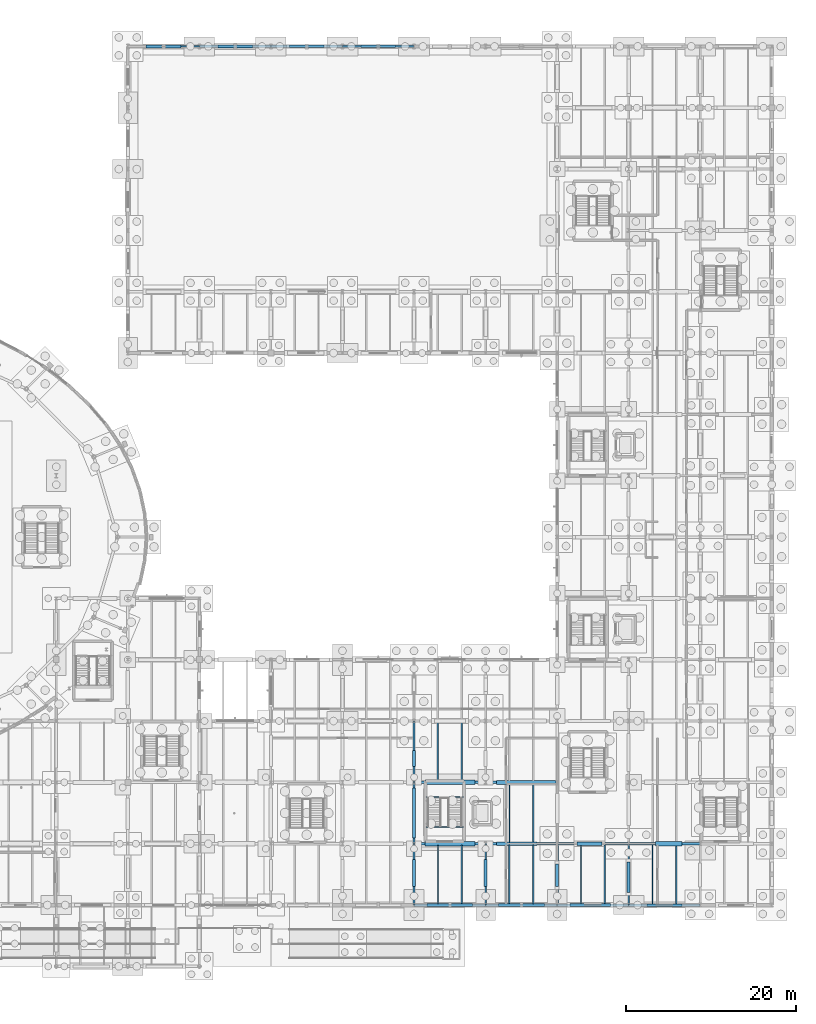
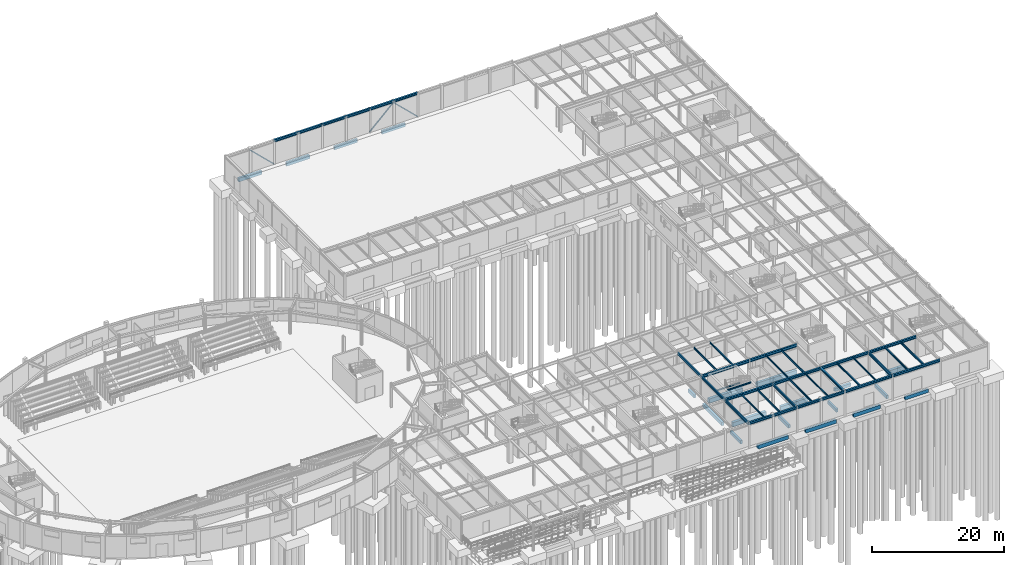
# One storey, part 42 of 93: 53 beams, 3 members.
"""IFC4 building model written with IfcOpenShell, lengths in metres."""

import ifcopenshell
import ifcopenshell.guid

model = None  # the IFC model being written
_history = None  # IfcOwnerHistory: only IFC2X3 demands one
_inside = {}  # id of a spatial element -> (the spatial element, [elements in it])
_under = {}  # id of a project, library or spatial element -> (it, [spatial elements below it])
_declared = {}  # id of a project -> (the project, [libraries it declares])
_typed = {}  # id of a type object -> (the type object, [elements of that type])
_made_of = {}  # id of a material, layer set ... -> (it, [elements and type objects made of it])


def new_model(schema):
    """Start an empty IFC model of exactly this schema.

    Asked for "IFC4X3", IfcOpenShell would pick the latest addendum, in which some entities
    have other attributes; the version numbers below select the first issue.
    IFC2X3 requires an IfcOwnerHistory on every rooted entity: one is made here for all.
    """
    global model, _history
    if schema == "IFC4X3":
        model = ifcopenshell.file(schema_version=(4, 3, 0, 0))
    else:
        model = ifcopenshell.file(schema=schema)
    _inside.clear()
    _under.clear()
    _declared.clear()
    _typed.clear()
    _made_of.clear()
    _history = None
    if model.schema == "IFC2X3":
        org = make("IfcOrganization", Name="unknown")
        user = make(
            "IfcPersonAndOrganization",
            ThePerson=make("IfcPerson", FamilyName="unknown"),
            TheOrganization=org,
        )
        app = make(
            "IfcApplication",
            ApplicationDeveloper=org,
            Version="unknown",
            ApplicationFullName="unknown",
            ApplicationIdentifier="unknown",
        )
        _history = make(
            "IfcOwnerHistory",
            OwningUser=user,
            OwningApplication=app,
            ChangeAction="ADDED",
            CreationDate=0,
        )
    return model


def make(cls, **values):
    """One entity of the class cls with the attributes given. An attribute that is None is left unset."""
    return model.create_entity(
        cls, **{name: value for name, value in values.items() if value is not None}
    )


def rooted(cls, **values):
    """An entity with a GlobalId (a new one), such as an element, a storey or a relation."""
    return make(cls, GlobalId=ifcopenshell.guid.new(), OwnerHistory=_history, **values)


def si_unit(unit_type, name, prefix=None):
    """IfcSIUnit, for example si_unit("LENGTHUNIT", "METRE", prefix="MILLI")."""
    return make("IfcSIUnit", UnitType=unit_type, Prefix=prefix, Name=name)


def derived_unit(unit_type, elements):
    """IfcDerivedUnit: a product of units, each with its exponent."""
    return make(
        "IfcDerivedUnit",
        Elements=[
            make("IfcDerivedUnitElement", Unit=unit, Exponent=power)
            for unit, power in elements
        ],
        UnitType=unit_type,
    )


def assignment(units):
    """IfcUnitAssignment: the units of a project."""
    return None if units is None else make("IfcUnitAssignment", Units=units)


def point(xyz):
    """IfcCartesianPoint."""
    return None if xyz is None else make("IfcCartesianPoint", Coordinates=xyz)


def direction(xyz):
    """IfcDirection."""
    return None if xyz is None else make("IfcDirection", DirectionRatios=xyz)


def frame(location, z_axis=None, x_axis=None):
    """IfcAxis2Placement3D, a coordinate frame: its origin and axes. An axis left out is left unset."""
    return make(
        "IfcAxis2Placement3D",
        Location=point(location),
        Axis=direction(z_axis),
        RefDirection=direction(x_axis),
    )


def frame_2d(location, x_axis=None):
    """IfcAxis2Placement2D, a coordinate frame in the plane: its origin and x axis."""
    return make(
        "IfcAxis2Placement2D", Location=point(location), RefDirection=direction(x_axis)
    )


def origin():
    """The frame at (0, 0, 0) with its axes left unset."""
    return frame((0.0, 0.0, 0.0))


def origin_2d():
    """The frame at (0, 0) in the plane with its x axis left unset."""
    return frame_2d((0.0, 0.0))


def place(relative_to, where):
    """IfcLocalPlacement: puts the frame where relative to a parent placement (None: the world)."""
    return make(
        "IfcLocalPlacement", PlacementRelTo=relative_to, RelativePlacement=where
    )


def context(
    kind, dimensions, precision=None, world=None, true_north=None, identifier=None
):
    """IfcGeometricRepresentationContext, for example the 3D "Model" context."""
    return make(
        "IfcGeometricRepresentationContext",
        ContextIdentifier=identifier,
        ContextType=kind,
        CoordinateSpaceDimension=dimensions,
        Precision=precision,
        WorldCoordinateSystem=world,
        TrueNorth=true_north,
    )


def subcontext(parent, identifier, kind, view, scale=None):
    """IfcGeometricRepresentationSubContext, for example "Body" below "Model"."""
    return make(
        "IfcGeometricRepresentationSubContext",
        ContextIdentifier=identifier,
        ContextType=kind,
        ParentContext=parent,
        TargetScale=scale,
        TargetView=view,
    )


def project(units=None, contexts=None):
    """IfcProject with its units and contexts."""
    return rooted(
        "IfcProject",
        Name="project",
        RepresentationContexts=contexts,
        UnitsInContext=assignment(units),
    )


def spatial(cls, under=None, at=None, **own):
    """A site, building, storey or space (cls), placed at a placement, below another one or the project."""
    s = rooted(cls, ObjectPlacement=at, **own)
    if under is not None:
        _under.setdefault(under.id(), (under, []))[1].append(s)
    return s


def profile(cls, at=None, kind="AREA", **sizes):
    """A parametric profile (cls). Its sizes go by their IFC names, for example OverallWidth=200.0."""
    return make(cls, ProfileType=kind, Position=at, **sizes)


def rectangle(**sizes):
    """IfcRectangleProfileDef."""
    return profile("IfcRectangleProfileDef", **sizes)


def hollow_rectangle(**sizes):
    """IfcRectangleHollowProfileDef."""
    return profile("IfcRectangleHollowProfileDef", **sizes)


def i_section(**sizes):
    """IfcIShapeProfileDef."""
    return profile("IfcIShapeProfileDef", **sizes)


def extrude(swept, where, along, depth):
    """IfcExtrudedAreaSolid: the profile swept, set in the frame where, extruded along a direction by depth."""
    return make(
        "IfcExtrudedAreaSolid",
        SweptArea=swept,
        Position=where,
        ExtrudedDirection=direction(along),
        Depth=depth,
    )


def shape(context_of_items, identifier, shape_type, items):
    """IfcShapeRepresentation: the items that make up one representation, for example the "Body"."""
    return make(
        "IfcShapeRepresentation",
        ContextOfItems=context_of_items,
        RepresentationIdentifier=identifier,
        RepresentationType=shape_type,
        Items=items,
    )


def material(Name=None, Category=None):
    """IfcMaterial."""
    return make("IfcMaterial", Name=Name, Category=Category)


def material_profile(
    of_material, cross_section, Name=None, Category=None, Priority=None
):
    """IfcMaterialProfile: a cross section and its material."""
    return make(
        "IfcMaterialProfile",
        Name=Name,
        Material=of_material,
        Profile=cross_section,
        Priority=Priority,
        Category=Category,
    )


def profile_set(profiles, Name=None, composite=None):
    """IfcMaterialProfileSet."""
    return make(
        "IfcMaterialProfileSet",
        Name=Name,
        MaterialProfiles=profiles,
        CompositeProfile=composite,
    )


def made_of(thing, what):
    """Note that an element or type object is made of a material, layer set ...; save() writes the relation."""
    if what is not None:
        _made_of.setdefault(what.id(), (what, []))[1].append(thing)
    return thing


def type_object(cls, material=None, **own):
    """A type object (cls), such as IfcWallType, which elements share."""
    return made_of(rooted(cls, **own), material)


def element(
    cls,
    number,
    at=None,
    inside=None,
    cuts=None,
    type_object=None,
    material=None,
    context=None,
    identifier="Body",
    shape_type=None,
    held_by="IfcProductDefinitionShape",
    body=None,
    shapes=None,
    **own,
):
    """One element of the class cls, such as IfcWall. Its Tag is "e" and its number.

    at: its placement. inside: the storey or other place that contains it. cuts: it is an
    opening in that element (IfcRelVoidsElement). A single representation is given by context,
    identifier, shape_type and body (its items); several are given by shapes. held_by: the class
    of the entity that holds the representations. save() writes the other relations.
    """
    e = rooted(cls, Tag="e%d" % number, ObjectPlacement=at, **own)
    if body is not None:
        shapes = [shape(context, identifier, shape_type, body)]
    if shapes is not None:
        e.Representation = make(held_by, Representations=shapes)
    if inside is not None:
        _inside.setdefault(inside.id(), (inside, []))[1].append(e)
    if cuts is not None:
        rooted(
            "IfcRelVoidsElement", RelatingBuildingElement=cuts, RelatedOpeningElement=e
        )
    if type_object is not None:
        _typed.setdefault(type_object.id(), (type_object, []))[1].append(e)
    return made_of(e, material)


def aggregate(whole, parts):
    """IfcRelAggregates: a whole, such as a stair, and the parts it consists of."""
    return rooted("IfcRelAggregates", RelatingObject=whole, RelatedObjects=parts)


def save(model, path):
    """Write the relations noted so far, then the file.

    IfcRelAggregates (storeys below a building ...), IfcRelContainedInSpatialStructure (elements
    in a storey), IfcRelDefinesByType, IfcRelAssociatesMaterial and IfcRelDeclares: one each for
    every whole, place, type object, material and project.
    """
    for whole, parts in _under.values():
        aggregate(whole, parts)
    for where, things in _inside.values():
        rooted(
            "IfcRelContainedInSpatialStructure",
            RelatedElements=things,
            RelatingStructure=where,
        )
    for kind, things in _typed.values():
        rooted("IfcRelDefinesByType", RelatedObjects=things, RelatingType=kind)
    for what, things in _made_of.values():
        rooted("IfcRelAssociatesMaterial", RelatedObjects=things, RelatingMaterial=what)
    for by, libraries in _declared.values():
        rooted("IfcRelDeclares", RelatingContext=by, RelatedDefinitions=libraries)
    model.write(path)


model = new_model("IFC4")

# Units and contexts
model_context = context("Model", 3, precision=1e-05, world=origin(), true_north=direction((0.0, 1.0)))
body_context = subcontext(model_context, "Body", "Model", "MODEL_VIEW")
ifc_project = project(units=[si_unit("LENGTHUNIT", "METRE"), si_unit("AREAUNIT", "SQUARE_METRE"), si_unit("VOLUMEUNIT", "CUBIC_METRE"), si_unit("PLANEANGLEUNIT", "RADIAN"), si_unit("MASSUNIT", "GRAM", prefix="KILO"), derived_unit("THERMALTRANSMITTANCEUNIT", [(si_unit("MASSUNIT", "GRAM", prefix="KILO"), 1), (si_unit("TIMEUNIT", "SECOND"), -3), (si_unit("THERMODYNAMICTEMPERATUREUNIT", "KELVIN"), -1)])], contexts=[model_context])

# Site, building, storey
site_placement = place(None, origin())
site = spatial("IfcSite", under=ifc_project, at=site_placement, CompositionType="ELEMENT")
building_placement = place(site_placement, origin())
building = spatial("IfcBuilding", under=site, at=building_placement, Name="Kharveza Railside Sports Centre", CompositionType="ELEMENT")
storey_placement = place(building_placement, origin())
storey = spatial("IfcBuildingStorey", under=building, at=storey_placement, Name="L00", CompositionType="ELEMENT", Elevation=0.0)

# Beams
ifc_material_1 = material(Name="Steel S355J2", Category="steel")
ifc_material_profile_1 = material_profile(ifc_material_1, i_section(OverallWidth=0.199951171875, OverallDepth=0.5, WebThickness=0.01025390625, FlangeThickness=0.01611328125, FilletRadius=0.02099609375, at=origin_2d()), Name="IPE 500")
ifc_profile_set_1 = profile_set([ifc_material_profile_1], Name="Steel S355J2")
beam_type_1 = type_object("IfcBeamType", Name="BM-G03", PredefinedType="T_BEAM", material=ifc_profile_set_1)
beam_1_placement = place(storey_placement, frame((126.0, 7.199951171875, 4.070068359375), z_axis=(0.0, 1.0, 0.0), x_axis=(-1.0, 0.0, 0.0)))
element("IfcBeam", 1, at=beam_1_placement, inside=storey, type_object=beam_type_1, Name="BM-NS-L00-B03-X1260-Y72", PredefinedType="T_BEAM", context=body_context, shape_type="SweptSolid", body=[
    extrude(i_section(OverallWidth=0.199951171875, OverallDepth=0.5, WebThickness=0.01025390625, FlangeThickness=0.01611328125, FilletRadius=0.02099609375, at=origin_2d()), origin(), (0.0, 0.0, 1.0), 7.199951171875),
])
beam_2_placement = place(storey_placement, frame((126.0, 14.39990234375, 4.070068359375), z_axis=(0.0, 1.0, 0.0), x_axis=(-1.0, 0.0, 0.0)))
element("IfcBeam", 2, at=beam_2_placement, inside=storey, type_object=beam_type_1, Name="BM-NS-L00-B03-X1260-Y144", PredefinedType="T_BEAM", context=body_context, shape_type="SweptSolid", body=[
    extrude(i_section(OverallWidth=0.199951171875, OverallDepth=0.5, WebThickness=0.01025390625, FlangeThickness=0.01611328125, FilletRadius=0.02099609375, at=origin_2d()), origin(), (0.0, 0.0, 1.0), 7.2001953125),
])
for number, where, z_axis, x_axis, name in (
    (3, (126.0, 21.60009765625, 4.070068359375), (0.0, 1.0, 0.0), (-1.0, 0.0, 0.0), "BM-NS-L00-B03-X1260-Y216"),
    (4, (151.199951171875, 7.199951171875, 4.070068359375), (0.0, 1.0, 0.0), (-1.0, 0.0, 0.0), "BM-NS-L00-B03-X1512-Y72"),
):
    element("IfcBeam", number, at=place(storey_placement, frame(where, z_axis=z_axis, x_axis=x_axis)), inside=storey, type_object=beam_type_1, Name=name, PredefinedType="T_BEAM", context=body_context, shape_type="SweptSolid", body=[
        extrude(i_section(OverallWidth=0.199951171875, OverallDepth=0.5, WebThickness=0.01025390625, FlangeThickness=0.01611328125, FilletRadius=0.02099609375, at=origin_2d()), origin(), (0.0, 0.0, 1.0), 7.199951171875),
    ])
ifc_material_profile_2 = material_profile(ifc_material_1, i_section(OverallWidth=0.18994140625, OverallDepth=0.449951171875, WebThickness=0.009521484375, FlangeThickness=0.0146484375, FilletRadius=0.02099609375, at=origin_2d()), Name="IPE 450")
ifc_profile_set_2 = profile_set([ifc_material_profile_2], Name="Steel S355J2")
beam_type_2 = type_object("IfcBeamType", Name="BM-G04", PredefinedType="T_BEAM", material=ifc_profile_set_2)
beam_3_placement = place(storey_placement, frame((134.39990234375, 7.199951171875, 4.094970703125), z_axis=(0.0, 1.0, 0.0), x_axis=(-1.0, 0.0, 0.0)))
element("IfcBeam", 5, at=beam_3_placement, inside=storey, type_object=beam_type_2, Name="BM-NS-L00-B04-X1344-Y72", PredefinedType="T_BEAM", context=body_context, shape_type="SweptSolid", body=[
    extrude(i_section(OverallWidth=0.18994140625, OverallDepth=0.449951171875, WebThickness=0.009521484375, FlangeThickness=0.0146484375, FilletRadius=0.02099609375, at=origin_2d()), origin(), (0.0, 0.0, 1.0), 7.199951171875),
])
ifc_material_profile_3 = material_profile(ifc_material_1, i_section(OverallWidth=0.300048828125, OverallDepth=0.5, WebThickness=0.014404296875, FlangeThickness=0.028076171875, FilletRadius=0.027099609375, at=origin_2d()), Name="HEB 500")
ifc_profile_set_3 = profile_set([ifc_material_profile_3], Name="Steel S355J2")
beam_type_3 = type_object("IfcBeamType", Name="BM-G05", PredefinedType="T_BEAM", material=ifc_profile_set_3)
beam_4_placement = place(storey_placement, frame((126.0, 21.60009765625, 4.070068359375), z_axis=(1.0, 0.0, 0.0), x_axis=(0.0, 1.0, 0.0)))
element("IfcBeam", 6, at=beam_4_placement, inside=storey, type_object=beam_type_3, Name="BM-EW-L00-B05-X1260-Y216", PredefinedType="T_BEAM", context=body_context, shape_type="SweptSolid", body=[
    extrude(i_section(OverallWidth=0.300048828125, OverallDepth=0.5, WebThickness=0.014404296875, FlangeThickness=0.028076171875, FilletRadius=0.027099609375, at=origin_2d()), origin(), (0.0, 0.0, 1.0), 8.39990234375),
])
beam_5_placement = place(storey_placement, frame((134.39990234375, 21.60009765625, 4.070068359375), z_axis=(1.0, 0.0, 0.0), x_axis=(0.0, 1.0, 0.0)))
element("IfcBeam", 7, at=beam_5_placement, inside=storey, type_object=beam_type_3, Name="BM-EW-L00-B05-X1344-Y216", PredefinedType="T_BEAM", context=body_context, shape_type="SweptSolid", body=[
    extrude(i_section(OverallWidth=0.300048828125, OverallDepth=0.5, WebThickness=0.014404296875, FlangeThickness=0.028076171875, FilletRadius=0.027099609375, at=origin_2d()), origin(), (0.0, 0.0, 1.0), 8.400146484375),
])
ifc_material_profile_4 = material_profile(ifc_material_1, i_section(OverallWidth=0.300048828125, OverallDepth=0.449951171875, WebThickness=0.013916015625, FlangeThickness=0.02587890625, FilletRadius=0.027099609375, at=origin_2d()), Name="HEB 450")
ifc_profile_set_4 = profile_set([ifc_material_profile_4], Name="Steel S355J2")
beam_type_4 = type_object("IfcBeamType", Name="BM-G06", PredefinedType="T_BEAM", material=ifc_profile_set_4)
beam_6_placement = place(storey_placement, frame((126.0, 14.39990234375, 4.094970703125), z_axis=(1.0, 0.0, 0.0), x_axis=(0.0, 1.0, 0.0)))
element("IfcBeam", 8, at=beam_6_placement, inside=storey, type_object=beam_type_4, Name="BM-EW-L00-B06-X1260-Y144", PredefinedType="T_BEAM", context=body_context, shape_type="SweptSolid", body=[
    extrude(i_section(OverallWidth=0.300048828125, OverallDepth=0.449951171875, WebThickness=0.013916015625, FlangeThickness=0.02587890625, FilletRadius=0.027099609375, at=origin_2d()), origin(), (0.0, 0.0, 1.0), 8.39990234375),
])
beam_7_placement = place(storey_placement, frame((134.39990234375, 14.39990234375, 4.094970703125), z_axis=(1.0, 0.0, 0.0), x_axis=(0.0, 1.0, 0.0)))
element("IfcBeam", 9, at=beam_7_placement, inside=storey, type_object=beam_type_4, Name="BM-EW-L00-B06-X1344-Y144", PredefinedType="T_BEAM", context=body_context, shape_type="SweptSolid", body=[
    extrude(i_section(OverallWidth=0.300048828125, OverallDepth=0.449951171875, WebThickness=0.013916015625, FlangeThickness=0.02587890625, FilletRadius=0.027099609375, at=origin_2d()), origin(), (0.0, 0.0, 1.0), 8.400146484375),
])
beam_8_placement = place(storey_placement, frame((142.800048828125, 14.39990234375, 4.094970703125), z_axis=(1.0, 0.0, 0.0), x_axis=(0.0, 1.0, 0.0)))
element("IfcBeam", 10, at=beam_8_placement, inside=storey, type_object=beam_type_4, Name="BM-EW-L00-B06-X1428-Y144", PredefinedType="T_BEAM", context=body_context, shape_type="SweptSolid", body=[
    extrude(i_section(OverallWidth=0.300048828125, OverallDepth=0.449951171875, WebThickness=0.013916015625, FlangeThickness=0.02587890625, FilletRadius=0.027099609375, at=origin_2d()), origin(), (0.0, 0.0, 1.0), 8.39990234375),
])
beam_9_placement = place(storey_placement, frame((151.199951171875, 14.39990234375, 4.094970703125), z_axis=(1.0, 0.0, 0.0), x_axis=(0.0, 1.0, 0.0)))
element("IfcBeam", 11, at=beam_9_placement, inside=storey, type_object=beam_type_4, Name="BM-EW-L00-B06-X1512-Y144", PredefinedType="T_BEAM", context=body_context, shape_type="SweptSolid", body=[
    extrude(i_section(OverallWidth=0.300048828125, OverallDepth=0.449951171875, WebThickness=0.013916015625, FlangeThickness=0.02587890625, FilletRadius=0.027099609375, at=origin_2d()), origin(), (0.0, 0.0, 1.0), 8.400146484375),
])
ifc_material_2 = material(Name="Concrete C35/45", Category="concrete")
ifc_material_profile_5 = material_profile(ifc_material_2, rectangle(XDim=0.5, YDim=0.800048828125, at=origin_2d()), Name="RCB 500x800")
ifc_profile_set_5 = profile_set([ifc_material_profile_5], Name="Concrete C35/45")
beam_type_5 = type_object("IfcBeamType", Name="BM-RC01", PredefinedType="T_BEAM", material=ifc_profile_set_5)
for number, where, z_axis, x_axis, name in (
    (12, (127.260009765625, 14.39990234375, -0.820068359375), (1.0, 0.0, 0.0), (0.0, 1.0, 0.0), "BM-PLINTH-EW-B25-X1260-Y144-1"),
    (13, (127.260009765625, 21.60009765625, -0.820068359375), (1.0, 0.0, 0.0), (0.0, 1.0, 0.0), "BM-PLINTH-EW-B25-X1260-Y216-1"),
):
    element("IfcBeam", number, at=place(storey_placement, frame(where, z_axis=z_axis, x_axis=x_axis)), inside=storey, type_object=beam_type_5, Name=name, PredefinedType="T_BEAM", context=body_context, shape_type="SweptSolid", body=[
        extrude(rectangle(XDim=0.5, YDim=0.800048828125, at=origin_2d()), origin(), (0.0, 0.0, 1.0), 5.8798828125),
    ])
beam_10_placement = place(storey_placement, frame((154.360107421875, 14.39990234375, -0.820068359375), z_axis=(1.0, 0.0, 0.0), x_axis=(0.0, 1.0, 0.0)))
element("IfcBeam", 14, at=beam_10_placement, inside=storey, type_object=beam_type_5, Name="BM-PLINTH-EW-B25-X1512-Y144-1", PredefinedType="T_BEAM", context=body_context, shape_type="SweptSolid", body=[
    extrude(rectangle(XDim=0.5, YDim=0.800048828125, at=origin_2d()), origin(), (0.0, 0.0, 1.0), 3.079833984375),
])
ifc_material_profile_6 = material_profile(ifc_material_2, rectangle(XDim=0.39990234375, YDim=0.64990234375, at=origin_2d()), Name="RCB 400x650")
ifc_profile_set_6 = profile_set([ifc_material_profile_6], Name="Concrete C35/45")
beam_type_6 = type_object("IfcBeamType", Name="BM-RC02", PredefinedType="BEAM", material=ifc_profile_set_6)
beam_11_placement = place(storey_placement, frame((126.0, 15.06005859375, -0.7451171875), z_axis=(0.0, 1.0, 0.0), x_axis=(-1.0, 0.0, 0.0)))
element("IfcBeam", 15, at=beam_11_placement, inside=storey, type_object=beam_type_6, Name="BM-PLINTH-NS-B26-X1260-Y144-1", PredefinedType="BEAM", context=body_context, shape_type="SweptSolid", body=[
    extrude(rectangle(XDim=0.39990234375, YDim=0.64990234375, at=origin_2d()), origin(), (0.0, 0.0, 1.0), 5.8798828125),
])
ifc_material_profile_7 = material_profile(ifc_material_2, rectangle(XDim=0.35009765625, YDim=0.699951171875, at=origin_2d()), Name="RCB 350x700")
ifc_profile_set_7 = profile_set([ifc_material_profile_7], Name="Concrete C35/45")
beam_type_7 = type_object("IfcBeamType", Name="BM-RC03", PredefinedType="SPANDREL", material=ifc_profile_set_7)
beam_12_placement = place(storey_placement, frame((94.56005859375, 108.0, -0.77001953125), z_axis=(1.0, 0.0, 0.0), x_axis=(0.0, 1.0, 0.0)))
element("IfcBeam", 16, at=beam_12_placement, inside=storey, type_object=beam_type_7, Name="BM-PLINTH-EW-B27-X924-Y1080-1", PredefinedType="SPANDREL", context=body_context, shape_type="SweptSolid", body=[
    extrude(rectangle(XDim=0.35009765625, YDim=0.699951171875, at=origin_2d()), origin(), (0.0, 0.0, 1.0), 4.079833984375),
])
beam_13_placement = place(storey_placement, frame((102.9599609375, 108.0, -0.77001953125), z_axis=(1.0, 0.0, 0.0), x_axis=(0.0, 1.0, 0.0)))
element("IfcBeam", 17, at=beam_13_placement, inside=storey, type_object=beam_type_7, Name="BM-PLINTH-EW-B27-X1008-Y1080-1", PredefinedType="SPANDREL", context=body_context, shape_type="SweptSolid", body=[
    extrude(rectangle(XDim=0.35009765625, YDim=0.699951171875, at=origin_2d()), origin(), (0.0, 0.0, 1.0), 4.080078125),
])
beam_14_placement = place(storey_placement, frame((127.510009765625, 7.199951171875, -0.77001953125), z_axis=(1.0, 0.0, 0.0), x_axis=(0.0, 1.0, 0.0)))
element("IfcBeam", 18, at=beam_14_placement, inside=storey, type_object=beam_type_7, Name="BM-PLINTH-EW-B27-X1260-Y72-1", PredefinedType="SPANDREL", context=body_context, shape_type="SweptSolid", body=[
    extrude(rectangle(XDim=0.35009765625, YDim=0.699951171875, at=origin_2d()), origin(), (0.0, 0.0, 1.0), 5.3798828125),
])
beam_15_placement = place(storey_placement, frame((135.909912109375, 7.199951171875, -0.77001953125), z_axis=(1.0, 0.0, 0.0), x_axis=(0.0, 1.0, 0.0)))
element("IfcBeam", 19, at=beam_15_placement, inside=storey, type_object=beam_type_7, Name="BM-PLINTH-EW-B27-X1344-Y72-1", PredefinedType="SPANDREL", context=body_context, shape_type="SweptSolid", body=[
    extrude(rectangle(XDim=0.35009765625, YDim=0.699951171875, at=origin_2d()), origin(), (0.0, 0.0, 1.0), 5.380126953125),
])
beam_16_placement = place(storey_placement, frame((144.31005859375, 7.199951171875, -0.77001953125), z_axis=(1.0, 0.0, 0.0), x_axis=(0.0, 1.0, 0.0)))
element("IfcBeam", 20, at=beam_16_placement, inside=storey, type_object=beam_type_7, Name="BM-PLINTH-EW-B27-X1428-Y72-1", PredefinedType="SPANDREL", context=body_context, shape_type="SweptSolid", body=[
    extrude(rectangle(XDim=0.35009765625, YDim=0.699951171875, at=origin_2d()), origin(), (0.0, 0.0, 1.0), 4.72998046875),
])
ifc_material_profile_8 = material_profile(ifc_material_2, rectangle(XDim=0.449951171875, YDim=0.85009765625, at=origin_2d()), Name="RCB 450x850")
ifc_profile_set_8 = profile_set([ifc_material_profile_8], Name="Concrete C35/45")
beam_type_8 = type_object("IfcBeamType", Name="BM-RC05", PredefinedType="T_BEAM", material=ifc_profile_set_8)
beam_17_placement = place(storey_placement, frame((135.659912109375, 14.39990234375, -0.844970703125), z_axis=(1.0, 0.0, 0.0), x_axis=(0.0, 1.0, 0.0)))
element("IfcBeam", 21, at=beam_17_placement, inside=storey, type_object=beam_type_8, Name="BM-PLINTH-EW-B29-X1344-Y144-1", PredefinedType="T_BEAM", context=body_context, shape_type="SweptSolid", body=[
    extrude(rectangle(XDim=0.449951171875, YDim=0.85009765625, at=origin_2d()), origin(), (0.0, 0.0, 1.0), 4.780029296875),
])
beam_18_placement = place(storey_placement, frame((135.659912109375, 21.60009765625, -0.844970703125), z_axis=(1.0, 0.0, 0.0), x_axis=(0.0, 1.0, 0.0)))
element("IfcBeam", 22, at=beam_18_placement, inside=storey, type_object=beam_type_8, Name="BM-PLINTH-EW-B29-X1344-Y216-1", PredefinedType="T_BEAM", context=body_context, shape_type="SweptSolid", body=[
    extrude(rectangle(XDim=0.449951171875, YDim=0.85009765625, at=origin_2d()), origin(), (0.0, 0.0, 1.0), 6.97998046875),
])
ifc_material_profile_9 = material_profile(ifc_material_2, rectangle(XDim=0.35009765625, YDim=0.60009765625, at=origin_2d()), Name="RCB 350x600")
ifc_profile_set_9 = profile_set([ifc_material_profile_9], Name="Concrete C35/45")
beam_type_9 = type_object("IfcBeamType", Name="BM-RC06", PredefinedType="BEAM", material=ifc_profile_set_9)
beam_19_placement = place(storey_placement, frame((126.0, 9.385009765625, -0.719970703125), z_axis=(0.0, 1.0, 0.0), x_axis=(-1.0, 0.0, 0.0)))
element("IfcBeam", 23, at=beam_19_placement, inside=storey, type_object=beam_type_9, Name="BM-PLINTH-NS-B30-X1260-Y72-1", PredefinedType="BEAM", context=body_context, shape_type="SweptSolid", body=[
    extrude(rectangle(XDim=0.35009765625, YDim=0.60009765625, at=origin_2d()), origin(), (0.0, 0.0, 1.0), 3.155029296875),
])
beam_20_placement = place(storey_placement, frame((126.0, 23.4599609375, -0.719970703125), z_axis=(0.0, 1.0, 0.0), x_axis=(-1.0, 0.0, 0.0)))
element("IfcBeam", 24, at=beam_20_placement, inside=storey, type_object=beam_type_9, Name="BM-PLINTH-NS-B30-X1260-Y216-1", PredefinedType="BEAM", context=body_context, shape_type="SweptSolid", body=[
    extrude(rectangle(XDim=0.35009765625, YDim=0.60009765625, at=origin_2d()), origin(), (0.0, 0.0, 1.0), 1.880126953125),
])
beam_21_placement = place(storey_placement, frame((134.39990234375, 9.385009765625, -0.719970703125), z_axis=(0.0, 1.0, 0.0), x_axis=(-1.0, 0.0, 0.0)))
element("IfcBeam", 25, at=beam_21_placement, inside=storey, type_object=beam_type_9, Name="BM-PLINTH-NS-B30-X1344-Y72-1", PredefinedType="BEAM", context=body_context, shape_type="SweptSolid", body=[
    extrude(rectangle(XDim=0.35009765625, YDim=0.60009765625, at=origin_2d()), origin(), (0.0, 0.0, 1.0), 3.155029296875),
])
beam_22_placement = place(storey_placement, frame((142.800048828125, 9.385009765625, -0.719970703125), z_axis=(0.0, 1.0, 0.0), x_axis=(-1.0, 0.0, 0.0)))
element("IfcBeam", 26, at=beam_22_placement, inside=storey, type_object=beam_type_9, Name="BM-PLINTH-NS-B30-X1428-Y72-1", PredefinedType="BEAM", context=body_context, shape_type="SweptSolid", body=[
    extrude(rectangle(XDim=0.35009765625, YDim=0.60009765625, at=origin_2d()), origin(), (0.0, 0.0, 1.0), 2.655029296875),
])
beam_23_placement = place(storey_placement, frame((151.199951171875, 8.659912109375, -0.719970703125), z_axis=(0.0, 1.0, 0.0), x_axis=(-1.0, 0.0, 0.0)))
element("IfcBeam", 27, at=beam_23_placement, inside=storey, type_object=beam_type_9, Name="BM-PLINTH-NS-B30-X1512-Y72-1", PredefinedType="BEAM", context=body_context, shape_type="SweptSolid", body=[
    extrude(rectangle(XDim=0.35009765625, YDim=0.60009765625, at=origin_2d()), origin(), (0.0, 0.0, 1.0), 3.60498046875),
])
ifc_material_profile_10 = material_profile(ifc_material_2, rectangle(XDim=0.39990234375, YDim=0.550048828125, at=origin_2d()), Name="RCB 400x550")
ifc_profile_set_10 = profile_set([ifc_material_profile_10], Name="Concrete C35/45")
beam_type_10 = type_object("IfcBeamType", Name="BM-RC07", PredefinedType="LINTEL", material=ifc_profile_set_10)
beam_24_placement = place(storey_placement, frame((145.159912109375, 14.39990234375, -0.695068359375), z_axis=(1.0, 0.0, 0.0), x_axis=(0.0, 1.0, 0.0)))
element("IfcBeam", 28, at=beam_24_placement, inside=storey, type_object=beam_type_10, Name="BM-PLINTH-EW-B31-X1428-Y144-1", PredefinedType="LINTEL", context=body_context, shape_type="SweptSolid", body=[
    extrude(rectangle(XDim=0.39990234375, YDim=0.550048828125, at=origin_2d()), origin(), (0.0, 0.0, 1.0), 2.880126953125),
])
ifc_material_3 = material(Name="Precast concrete C40/50", Category="concrete")
ifc_material_profile_11 = material_profile(ifc_material_3, rectangle(XDim=0.300048828125, YDim=0.64990234375, at=origin_2d()), Name="RCB 300x650")
ifc_profile_set_11 = profile_set([ifc_material_profile_11], Name="Precast concrete C40/50")
beam_type_11 = type_object("IfcBeamType", Name="BM-RC08", PredefinedType="SPANDREL", material=ifc_profile_set_11)
beam_25_placement = place(storey_placement, frame((111.360107421875, 108.0, -0.7451171875), z_axis=(1.0, 0.0, 0.0), x_axis=(0.0, 1.0, 0.0)))
element("IfcBeam", 29, at=beam_25_placement, inside=storey, type_object=beam_type_11, Name="BM-PLINTH-EW-B32-X1092-Y1080-1", PredefinedType="SPANDREL", context=body_context, shape_type="SweptSolid", body=[
    extrude(rectangle(XDim=0.300048828125, YDim=0.64990234375, at=origin_2d()), origin(), (0.0, 0.0, 1.0), 4.079833984375),
])
beam_26_placement = place(storey_placement, frame((119.760009765625, 108.0, -0.7451171875), z_axis=(1.0, 0.0, 0.0), x_axis=(0.0, 1.0, 0.0)))
element("IfcBeam", 30, at=beam_26_placement, inside=storey, type_object=beam_type_11, Name="BM-PLINTH-EW-B32-X1176-Y1080-1", PredefinedType="SPANDREL", context=body_context, shape_type="SweptSolid", body=[
    extrude(rectangle(XDim=0.300048828125, YDim=0.64990234375, at=origin_2d()), origin(), (0.0, 0.0, 1.0), 4.080078125),
])
beam_27_placement = place(storey_placement, frame((153.360107421875, 7.199951171875, -0.7451171875), z_axis=(1.0, 0.0, 0.0), x_axis=(0.0, 1.0, 0.0)))
element("IfcBeam", 31, at=beam_27_placement, inside=storey, type_object=beam_type_11, Name="BM-PLINTH-EW-B32-X1512-Y72-1", PredefinedType="SPANDREL", context=body_context, shape_type="SweptSolid", body=[
    extrude(rectangle(XDim=0.300048828125, YDim=0.64990234375, at=origin_2d()), origin(), (0.0, 0.0, 1.0), 4.10498046875),
])
ifc_material_profile_12 = material_profile(ifc_material_1, i_section(OverallWidth=0.179931640625, OverallDepth=0.39990234375, WebThickness=0.008544921875, FlangeThickness=0.013427734375, FilletRadius=0.02099609375, at=origin_2d()), Name="IPE 400")
ifc_profile_set_12 = profile_set([ifc_material_profile_12], Name="Steel S355J2")
beam_type_12 = type_object("IfcBeamType", Name="BM-S01", PredefinedType="BEAM", material=ifc_profile_set_12)
beam_28_placement = place(storey_placement, frame((156.800048828125, 7.346923828125, 4.1201171875), z_axis=(0.0, 1.0, 0.0), x_axis=(-1.0, 0.0, 0.0)))
element("IfcBeam", 32, at=beam_28_placement, inside=storey, type_object=beam_type_12, Name="BM-SEC-L00-B09-X1568-Y72", PredefinedType="BEAM", context=body_context, shape_type="SweptSolid", body=[
    extrude(i_section(OverallWidth=0.179931640625, OverallDepth=0.39990234375, WebThickness=0.008544921875, FlangeThickness=0.013427734375, FilletRadius=0.02099609375, at=origin_2d()), origin(), (0.0, 0.0, 1.0), 6.906005859375),
])
ifc_material_profile_13 = material_profile(ifc_material_1, i_section(OverallWidth=0.169921875, OverallDepth=0.360107421875, WebThickness=0.008056640625, FlangeThickness=0.0126953125, FilletRadius=0.01806640625, at=origin_2d()), Name="IPE 360")
ifc_profile_set_13 = profile_set([ifc_material_profile_13], Name="Steel S355J2")
beam_type_13 = type_object("IfcBeamType", Name="BM-S02", PredefinedType="BEAM", material=ifc_profile_set_13)
beam_29_placement = place(storey_placement, frame((131.60009765625, 7.346923828125, 4.139892578125), z_axis=(0.0, 1.0, 0.0), x_axis=(-1.0, 0.0, 0.0)))
element("IfcBeam", 33, at=beam_29_placement, inside=storey, type_object=beam_type_13, Name="BM-SEC-L00-B10-X1316-Y72", PredefinedType="BEAM", context=body_context, shape_type="SweptSolid", body=[
    extrude(i_section(OverallWidth=0.169921875, OverallDepth=0.360107421875, WebThickness=0.008056640625, FlangeThickness=0.0126953125, FilletRadius=0.01806640625, at=origin_2d()), origin(), (0.0, 0.0, 1.0), 6.906005859375),
])
beam_30_placement = place(storey_placement, frame((128.800048828125, 21.7470703125, 4.139892578125), z_axis=(0.0, 1.0, 0.0), x_axis=(-1.0, 0.0, 0.0)))
element("IfcBeam", 34, at=beam_30_placement, inside=storey, type_object=beam_type_13, Name="BM-SEC-L00-B10-X1288-Y216", PredefinedType="BEAM", context=body_context, shape_type="SweptSolid", body=[
    extrude(i_section(OverallWidth=0.169921875, OverallDepth=0.360107421875, WebThickness=0.008056640625, FlangeThickness=0.0126953125, FilletRadius=0.01806640625, at=origin_2d()), origin(), (0.0, 0.0, 1.0), 6.946044921875),
])
beam_31_placement = place(storey_placement, frame((140.0, 14.547119140625, 4.139892578125), z_axis=(0.0, 1.0, 0.0), x_axis=(-1.0, 0.0, 0.0)))
element("IfcBeam", 35, at=beam_31_placement, inside=storey, type_object=beam_type_13, Name="BM-SEC-L00-B10-X1400-Y144", PredefinedType="BEAM", context=body_context, shape_type="SweptSolid", body=[
    extrude(i_section(OverallWidth=0.169921875, OverallDepth=0.360107421875, WebThickness=0.008056640625, FlangeThickness=0.0126953125, FilletRadius=0.01806640625, at=origin_2d()), origin(), (0.0, 0.0, 1.0), 6.90576171875),
])
ifc_material_profile_14 = material_profile(ifc_material_1, i_section(OverallWidth=0.159912109375, OverallDepth=0.330078125, WebThickness=0.007568359375, FlangeThickness=0.011474609375, FilletRadius=0.01806640625, at=origin_2d()), Name="IPE 330")
ifc_profile_set_14 = profile_set([ifc_material_profile_14], Name="Steel S355J2")
beam_type_14 = type_object("IfcBeamType", Name="BM-S03", PredefinedType="BEAM", material=ifc_profile_set_14)
for number, where, z_axis, x_axis, name in (
    (36, (137.199951171875, 7.346923828125, 4.155029296875), (0.0, 1.0, 0.0), (-1.0, 0.0, 0.0), "BM-SEC-L00-B11-X1372-Y72"),
    (37, (145.60009765625, 7.346923828125, 4.155029296875), (0.0, 1.0, 0.0), (-1.0, 0.0, 0.0), "BM-SEC-L00-B11-X1456-Y72"),
):
    element("IfcBeam", number, at=place(storey_placement, frame(where, z_axis=z_axis, x_axis=x_axis)), inside=storey, type_object=beam_type_14, Name=name, PredefinedType="BEAM", context=body_context, shape_type="SweptSolid", body=[
        extrude(i_section(OverallWidth=0.159912109375, OverallDepth=0.330078125, WebThickness=0.007568359375, FlangeThickness=0.011474609375, FilletRadius=0.01806640625, at=origin_2d()), origin(), (0.0, 0.0, 1.0), 6.906005859375),
    ])
ifc_material_profile_15 = material_profile(ifc_material_1, i_section(OverallWidth=0.14990234375, OverallDepth=0.300048828125, WebThickness=0.007080078125, FlangeThickness=0.0107421875, FilletRadius=0.014892578125, at=origin_2d()), Name="IPE 300")
ifc_profile_set_15 = profile_set([ifc_material_profile_15], Name="Steel S355J2")
beam_type_15 = type_object("IfcBeamType", Name="BM-S04", PredefinedType="BEAM", material=ifc_profile_set_15)
beam_32_placement = place(storey_placement, frame((131.60009765625, 21.7470703125, 4.169921875), z_axis=(0.0, 1.0, 0.0), x_axis=(-1.0, 0.0, 0.0)))
element("IfcBeam", 38, at=beam_32_placement, inside=storey, type_object=beam_type_15, Name="BM-SEC-L00-B12-X1316-Y216", PredefinedType="BEAM", context=body_context, shape_type="SweptSolid", body=[
    extrude(i_section(OverallWidth=0.14990234375, OverallDepth=0.300048828125, WebThickness=0.007080078125, FlangeThickness=0.0107421875, FilletRadius=0.014892578125, at=origin_2d()), origin(), (0.0, 0.0, 1.0), 6.946044921875),
])
beam_33_placement = place(storey_placement, frame((154.0, 7.346923828125, 4.169921875), z_axis=(0.0, 1.0, 0.0), x_axis=(-1.0, 0.0, 0.0)))
element("IfcBeam", 39, at=beam_33_placement, inside=storey, type_object=beam_type_15, Name="BM-SEC-L00-B12-X1540-Y72", PredefinedType="BEAM", context=body_context, shape_type="SweptSolid", body=[
    extrude(i_section(OverallWidth=0.14990234375, OverallDepth=0.300048828125, WebThickness=0.007080078125, FlangeThickness=0.0107421875, FilletRadius=0.014892578125, at=origin_2d()), origin(), (0.0, 0.0, 1.0), 6.906005859375),
])
ifc_material_profile_16 = material_profile(ifc_material_1, i_section(OverallWidth=0.135009765625, OverallDepth=0.27001953125, WebThickness=0.006591796875, FlangeThickness=0.01025390625, FilletRadius=0.014892578125, at=origin_2d()), Name="IPE 270")
ifc_profile_set_16 = profile_set([ifc_material_profile_16], Name="Steel S355J2")
beam_type_16 = type_object("IfcBeamType", Name="BM-S05", PredefinedType="BEAM", material=ifc_profile_set_16)
for number, where, z_axis, x_axis, name in (
    (40, (128.800048828125, 7.346923828125, 4.18505859375), (0.0, 1.0, 0.0), (-1.0, 0.0, 0.0), "BM-SEC-L00-B13-X1288-Y72"),
    (41, (140.0, 7.346923828125, 4.18505859375), (0.0, 1.0, 0.0), (-1.0, 0.0, 0.0), "BM-SEC-L00-B13-X1400-Y72"),
):
    element("IfcBeam", number, at=place(storey_placement, frame(where, z_axis=z_axis, x_axis=x_axis)), inside=storey, type_object=beam_type_16, Name=name, PredefinedType="BEAM", context=body_context, shape_type="SweptSolid", body=[
        extrude(i_section(OverallWidth=0.135009765625, OverallDepth=0.27001953125, WebThickness=0.006591796875, FlangeThickness=0.01025390625, FilletRadius=0.014892578125, at=origin_2d()), origin(), (0.0, 0.0, 1.0), 6.906005859375),
    ])
beam_34_placement = place(storey_placement, frame((137.199951171875, 14.547119140625, 4.18505859375), z_axis=(0.0, 1.0, 0.0), x_axis=(-1.0, 0.0, 0.0)))
element("IfcBeam", 42, at=beam_34_placement, inside=storey, type_object=beam_type_16, Name="BM-SEC-L00-B13-X1372-Y144", PredefinedType="BEAM", context=body_context, shape_type="SweptSolid", body=[
    extrude(i_section(OverallWidth=0.135009765625, OverallDepth=0.27001953125, WebThickness=0.006591796875, FlangeThickness=0.01025390625, FilletRadius=0.014892578125, at=origin_2d()), origin(), (0.0, 0.0, 1.0), 6.90576171875),
])
beam_35_placement = place(storey_placement, frame((148.39990234375, 7.346923828125, 4.18505859375), z_axis=(0.0, 1.0, 0.0), x_axis=(-1.0, 0.0, 0.0)))
element("IfcBeam", 43, at=beam_35_placement, inside=storey, type_object=beam_type_16, Name="BM-SEC-L00-B13-X1484-Y72", PredefinedType="BEAM", context=body_context, shape_type="SweptSolid", body=[
    extrude(i_section(OverallWidth=0.135009765625, OverallDepth=0.27001953125, WebThickness=0.006591796875, FlangeThickness=0.01025390625, FilletRadius=0.014892578125, at=origin_2d()), origin(), (0.0, 0.0, 1.0), 6.906005859375),
])
for number, where, z_axis, x_axis, name in (
    (44, (127.3798828125, 19.8798828125, 1.929931640625), (1.0, 0.0, 0.0), (0.0, 1.0, 0.0), "BM-HLND-ST3-L00"),
    (45, (127.3798828125, 16.360107421875, 4.179931640625), (1.0, 0.0, 0.0), (0.0, 1.0, 0.0), "BM-STLND-ST3-L01"),
):
    element("IfcBeam", number, at=place(storey_placement, frame(where, z_axis=z_axis, x_axis=x_axis)), inside=storey, type_object=beam_type_16, Name=name, PredefinedType="BEAM", context=body_context, shape_type="SweptSolid", body=[
        extrude(i_section(OverallWidth=0.135009765625, OverallDepth=0.27001953125, WebThickness=0.006591796875, FlangeThickness=0.01025390625, FilletRadius=0.014892578125, at=origin_2d()), origin(), (0.0, 0.0, 1.0), 4.440185546875),
    ])
ifc_material_profile_17 = material_profile(ifc_material_1, i_section(OverallWidth=0.300048828125, OverallDepth=0.31005859375, WebThickness=0.009033203125, FlangeThickness=0.015380859375, FilletRadius=0.027099609375, at=origin_2d()), Name="HEA 320")
ifc_profile_set_17 = profile_set([ifc_material_profile_17], Name="Steel S355J2")
beam_type_17 = type_object("IfcBeamType", Name="BM-S06", PredefinedType="BEAM", material=ifc_profile_set_17)
beam_36_placement = place(storey_placement, frame((142.800048828125, 7.199951171875, 4.1650390625), z_axis=(0.0, 1.0, 0.0), x_axis=(-1.0, 0.0, 0.0)))
element("IfcBeam", 46, at=beam_36_placement, inside=storey, type_object=beam_type_17, Name="BM-NS-L00-B14-X1428-Y72", PredefinedType="BEAM", context=body_context, shape_type="SweptSolid", body=[
    extrude(i_section(OverallWidth=0.300048828125, OverallDepth=0.31005859375, WebThickness=0.009033203125, FlangeThickness=0.015380859375, FilletRadius=0.027099609375, at=origin_2d()), origin(), (0.0, 0.0, 1.0), 7.199951171875),
])
ifc_material_profile_18 = material_profile(ifc_material_1, i_section(OverallWidth=0.300048828125, OverallDepth=0.43994140625, WebThickness=0.011474609375, FlangeThickness=0.02099609375, FilletRadius=0.027099609375, at=origin_2d()), Name="HEA 450")
ifc_profile_set_18 = profile_set([ifc_material_profile_18], Name="Steel S355J2")
beam_type_18 = type_object("IfcBeamType", Name="BM-SP01", PredefinedType="SPANDREL", material=ifc_profile_set_18)
beam_37_placement = place(storey_placement, frame((100.800048828125, 108.0, 4.280029296875), z_axis=(1.0, 0.0, 0.0), x_axis=(0.0, 1.0, 0.0)))
element("IfcBeam", 47, at=beam_37_placement, inside=storey, type_object=beam_type_18, Name="BM-EW-L00-B15-X1008-Y1080", PredefinedType="SPANDREL", context=body_context, shape_type="SweptSolid", body=[
    extrude(i_section(OverallWidth=0.300048828125, OverallDepth=0.43994140625, WebThickness=0.011474609375, FlangeThickness=0.02099609375, FilletRadius=0.027099609375, at=origin_2d()), origin(), (0.0, 0.0, 1.0), 8.39990234375),
])
beam_38_placement = place(storey_placement, frame((109.199951171875, 108.0, 4.280029296875), z_axis=(1.0, 0.0, 0.0), x_axis=(0.0, 1.0, 0.0)))
element("IfcBeam", 48, at=beam_38_placement, inside=storey, type_object=beam_type_18, Name="BM-EW-L00-B15-X1092-Y1080", PredefinedType="SPANDREL", context=body_context, shape_type="SweptSolid", body=[
    extrude(i_section(OverallWidth=0.300048828125, OverallDepth=0.43994140625, WebThickness=0.011474609375, FlangeThickness=0.02099609375, FilletRadius=0.027099609375, at=origin_2d()), origin(), (0.0, 0.0, 1.0), 8.400146484375),
])
for number, where, z_axis, x_axis, name in (
    (49, (117.60009765625, 108.0, 4.280029296875), (1.0, 0.0, 0.0), (0.0, 1.0, 0.0), "BM-EW-L00-B15-X1176-Y1080"),
    (50, (126.0, 7.199951171875, 4.10009765625), (1.0, 0.0, 0.0), (0.0, 1.0, 0.0), "BM-EW-L00-B15-X1260-Y72"),
):
    element("IfcBeam", number, at=place(storey_placement, frame(where, z_axis=z_axis, x_axis=x_axis)), inside=storey, type_object=beam_type_18, Name=name, PredefinedType="SPANDREL", context=body_context, shape_type="SweptSolid", body=[
        extrude(i_section(OverallWidth=0.300048828125, OverallDepth=0.43994140625, WebThickness=0.011474609375, FlangeThickness=0.02099609375, FilletRadius=0.027099609375, at=origin_2d()), origin(), (0.0, 0.0, 1.0), 8.39990234375),
    ])
beam_39_placement = place(storey_placement, frame((134.39990234375, 7.199951171875, 4.10009765625), z_axis=(1.0, 0.0, 0.0), x_axis=(0.0, 1.0, 0.0)))
element("IfcBeam", 51, at=beam_39_placement, inside=storey, type_object=beam_type_18, Name="BM-EW-L00-B15-X1344-Y72", PredefinedType="SPANDREL", context=body_context, shape_type="SweptSolid", body=[
    extrude(i_section(OverallWidth=0.300048828125, OverallDepth=0.43994140625, WebThickness=0.011474609375, FlangeThickness=0.02099609375, FilletRadius=0.027099609375, at=origin_2d()), origin(), (0.0, 0.0, 1.0), 8.400146484375),
])
beam_40_placement = place(storey_placement, frame((142.800048828125, 7.199951171875, 4.10009765625), z_axis=(1.0, 0.0, 0.0), x_axis=(0.0, 1.0, 0.0)))
element("IfcBeam", 52, at=beam_40_placement, inside=storey, type_object=beam_type_18, Name="BM-EW-L00-B15-X1428-Y72", PredefinedType="SPANDREL", context=body_context, shape_type="SweptSolid", body=[
    extrude(i_section(OverallWidth=0.300048828125, OverallDepth=0.43994140625, WebThickness=0.011474609375, FlangeThickness=0.02099609375, FilletRadius=0.027099609375, at=origin_2d()), origin(), (0.0, 0.0, 1.0), 8.39990234375),
])
beam_41_placement = place(storey_placement, frame((151.199951171875, 7.199951171875, 4.10009765625), z_axis=(1.0, 0.0, 0.0), x_axis=(0.0, 1.0, 0.0)))
element("IfcBeam", 53, at=beam_41_placement, inside=storey, type_object=beam_type_18, Name="BM-EW-L00-B15-X1512-Y72", PredefinedType="SPANDREL", context=body_context, shape_type="SweptSolid", body=[
    extrude(i_section(OverallWidth=0.300048828125, OverallDepth=0.43994140625, WebThickness=0.011474609375, FlangeThickness=0.02099609375, FilletRadius=0.027099609375, at=origin_2d()), origin(), (0.0, 0.0, 1.0), 8.400146484375),
])

# Members
ifc_material_profile_19 = material_profile(ifc_material_1, hollow_rectangle(XDim=0.179931640625, YDim=0.179931640625, WallThickness=0.010009765625, InnerFilletRadius=0.010009765625, OuterFilletRadius=0.02001953125, at=origin_2d()), Name="SHS 180x180x10.0")
ifc_profile_set_19 = profile_set([ifc_material_profile_19], Name="Steel S355J2")
member_type = type_object("IfcMemberType", Name="MB-BR01", PredefinedType="BRACE", material=ifc_profile_set_19)
for number, where, z_axis, x_axis, name in (
    (54, (100.800048828125, 108.0, 0.0), (-0.719836081517, 0.0, 0.694144088606), (0.0, -1.0, 0.0), "MB-CHEV-EW-001B"),
    (55, (117.60009765625, 108.0, 0.0), (0.719836081517, 0.0, 0.694144088606), (0.0, 1.0, 0.0), "MB-CHEV-EW-004A"),
    (56, (126.0, 108.0, 0.0), (-0.719836081517, 0.0, 0.694144088606), (0.0, -1.0, 0.0), "MB-CHEV-EW-004B"),
):
    element("IfcMember", number, at=place(storey_placement, frame(where, z_axis=z_axis, x_axis=x_axis)), inside=storey, type_object=member_type, Name=name, PredefinedType="BRACE", context=body_context, shape_type="SweptSolid", body=[
        extrude(hollow_rectangle(XDim=0.179931640625, YDim=0.179931640625, WallThickness=0.010009765625, InnerFilletRadius=0.010009765625, OuterFilletRadius=0.02001953125, at=origin_2d()), origin(), (0.0, 0.0, 1.0), 5.83447265625),
    ])

save(model, "model.ifc")
